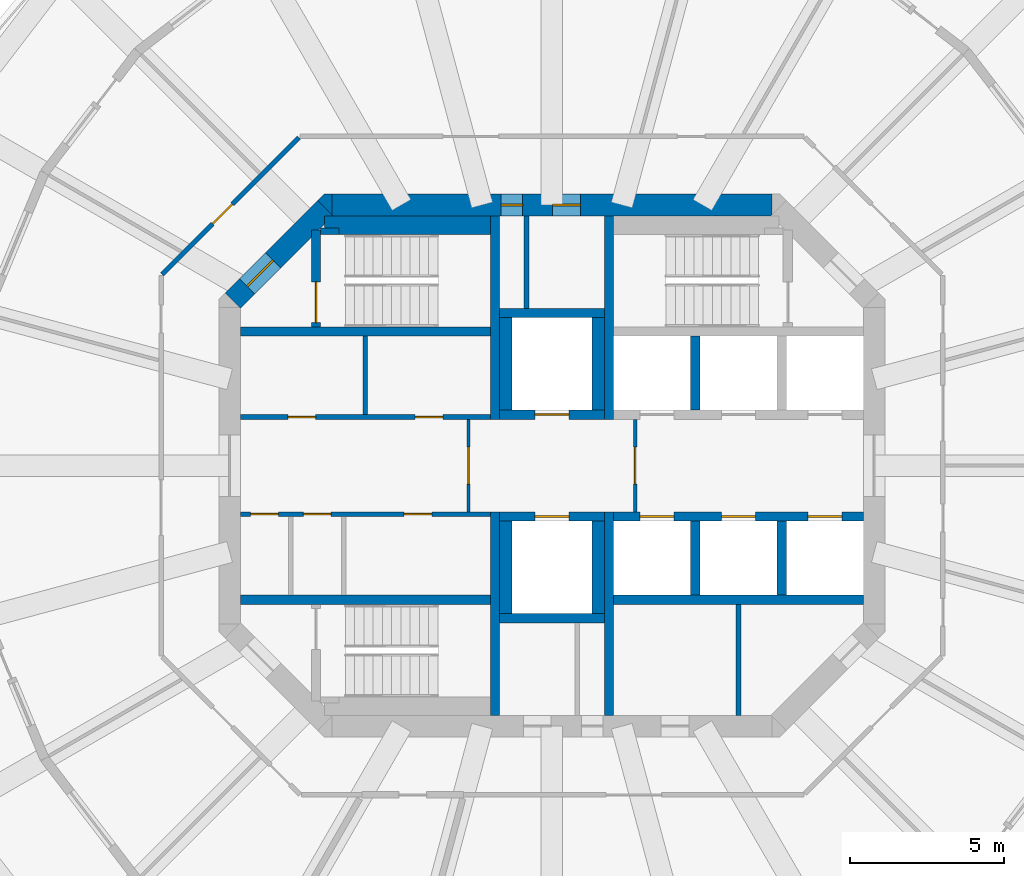
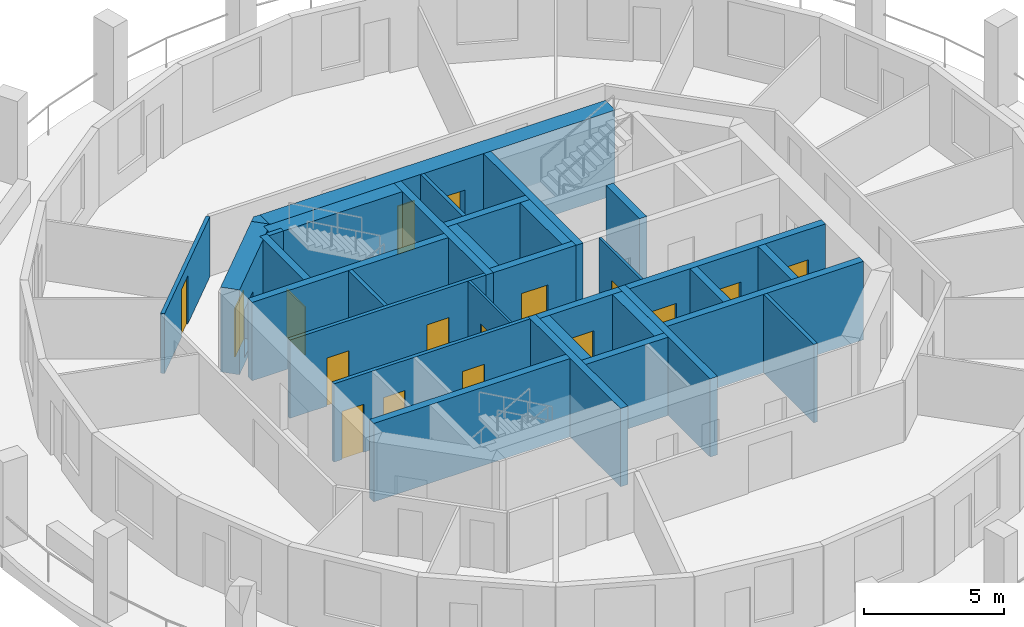
# One storey, part 4 of 9: 33 walls, 17 doors, 17 openings.
"""IFC4 building model written with IfcOpenShell, lengths in metres."""

from ifc_helpers import new_model, si_unit, direction, frame, frame_2d, origin, place, context, subcontext, project, spatial, polyline, rectangle, outline, extrude, material, layer, layer_set, type_object, element, fill, save


model = new_model("IFC4")

# Units and contexts
model_context = context("Model", 3, precision=1e-05, world=origin(), true_north=direction((0.0, 1.0)))
body_context = subcontext(model_context, "Body", "Model", "MODEL_VIEW")
ifc_project = project(units=[si_unit("LENGTHUNIT", "METRE"), si_unit("AREAUNIT", "SQUARE_METRE"), si_unit("VOLUMEUNIT", "CUBIC_METRE"), si_unit("PLANEANGLEUNIT", "RADIAN"), si_unit("MASSUNIT", "GRAM", prefix="KILO")], contexts=[model_context])

# Site, building, storey
site_placement = place(None, origin())
site = spatial("IfcSite", under=ifc_project, at=site_placement, CompositionType="ELEMENT")
building_placement = place(site_placement, origin())
building = spatial("IfcBuilding", under=site, at=building_placement, Name="Torre Triforio", CompositionType="ELEMENT")
storey_placement = place(building_placement, frame((0.0, 0.0, 154.199951171875)))
storey = spatial("IfcBuildingStorey", under=building, at=storey_placement, Name="L34", CompositionType="ELEMENT", Elevation=154.199951171875)

# Walls
ifc_material_1 = material(Name="Concrete C50", Category="concrete")
ifc_layer_1 = layer(ifc_material_1, 0.300048828125)
ifc_layer_set_1 = layer_set([ifc_layer_1], Name="Concrete C50")
wall_type_1 = type_object("IfcWallType", Name="Core wall 300 mm C50 EI 120", PredefinedType="SHEAR", material=ifc_layer_set_1)
for number, where, z_axis, x_axis, name in (
    (1, (-1.85009765625, 1.5, 0.0), (0.0, 0.0, 1.0), (0.0, 1.0, 0.0), "Core wall"),
    (2, (-1.85009765625, -8.10009765625, 0.0), (0.0, 0.0, 1.0), (0.0, 1.0, 0.0), "Core wall"),
    (3, (1.85009765625, 1.5, 0.0), (0.0, 0.0, 1.0), (0.0, 1.0, 0.0), "Core wall"),
    (4, (1.85009765625, -8.10009765625, 0.0), (0.0, 0.0, 1.0), (0.0, 1.0, 0.0), "Core wall"),
):
    element("IfcWall", number, at=place(storey_placement, frame(where, z_axis=z_axis, x_axis=x_axis)), inside=storey, type_object=wall_type_1, Name=name, PredefinedType="SHEAR", context=body_context, shape_type="SweptSolid", body=[
        extrude(rectangle(XDim=6.60009765625, YDim=0.300048828125, at=frame_2d((3.300048828125, 0.0))), origin(), (0.0, 0.0, 1.0), 3.420166015625),
    ])

# Wall, openings, doors
ifc_layer_2 = layer(ifc_material_1, 0.699951171875)
ifc_layer_set_2 = layer_set([ifc_layer_2], Name="Concrete C50")
wall_type_2 = type_object("IfcWallType", Name="Core wall 700 mm C50 EI 120", PredefinedType="SHEAR", material=ifc_layer_set_2)
wall_1_placement = place(storey_placement, frame((-7.1298828125, 8.449951171875, -0.280029296875), z_axis=(0.0, 0.0, 1.0), x_axis=(1.0, 0.0, 0.0)))
wall_1 = element("IfcWall", 5, at=wall_1_placement, inside=storey, type_object=wall_type_2, Name="Core wall", PredefinedType="SHEAR", context=body_context, shape_type="SweptSolid", body=[
    extrude(rectangle(XDim=14.259765625, YDim=0.699951171875, at=frame_2d((7.1298828125, 0.0))), origin(), (0.0, 0.0, 1.0), 3.7001953125),
])
opening_1_placement = place(wall_1_placement, frame((5.47998046875, 0.0, 0.280029296875)))
opening_1 = element("IfcOpeningElement", 6, at=opening_1_placement, cuts=wall_1, Name="Opening RISER-N", PredefinedType="OPENING", context=body_context, shape_type="SweptSolid", body=[
    extrude(rectangle(XDim=0.699951171875, YDim=2.10009765625, at=frame_2d((0.35009765625, 1.050048828125))), frame((0.0, 0.35986328125, 0.0), z_axis=(0.0, -1.0, 0.0), x_axis=(1.0, 0.0, 0.0)), (0.0, 0.0, 1.0), 0.719970703125),
])
opening_2_placement = place(wall_1_placement, frame((7.155029296875, 0.0, 0.280029296875)))
opening_2 = element("IfcOpeningElement", 7, at=opening_2_placement, cuts=wall_1, Name="Opening NE-01", PredefinedType="OPENING", context=body_context, shape_type="SweptSolid", body=[
    extrude(rectangle(XDim=0.89990234375, YDim=2.10009765625, at=frame_2d((0.449951171875, 1.050048828125))), frame((0.0, 0.35986328125, 0.0), z_axis=(0.0, -1.0, 0.0), x_axis=(1.0, 0.0, 0.0)), (0.0, 0.0, 1.0), 0.719970703125),
])
ifc_material_2 = material(Name="Hollow metal fire door leaf")
door_type_1 = type_object("IfcDoorType", Name="Riser door 700 x 2100 EI 60", OperationType="NOTDEFINED", PredefinedType="DOOR", material=ifc_material_2)
door_1_placement = place(opening_1_placement, origin())
door_1 = element("IfcDoor", 8, at=door_1_placement, inside=storey, type_object=door_type_1, Name="Core door RISER-N", OperationType="SINGLE_SWING_LEFT", OverallHeight=2.10009765625, OverallWidth=0.699951171875, PredefinedType="DOOR", context=body_context, shape_type="SweptSolid", body=[
    extrude(rectangle(XDim=0.699951171875, YDim=2.10009765625, at=frame_2d((0.35009765625, 1.050048828125))), frame((0.0, 0.02490234375, 0.0), z_axis=(0.0, -1.0, 0.0), x_axis=(1.0, 0.0, 0.0)), (0.0, 0.0, 1.0), 0.050048828125),
])
fill(opening_1, door_1)
door_type_2 = type_object("IfcDoorType", Name="Room door 900 x 2100 EI 60", OperationType="NOTDEFINED", PredefinedType="DOOR", material=ifc_material_2)
door_2_placement = place(opening_2_placement, origin())
door_2 = element("IfcDoor", 9, at=door_2_placement, inside=storey, type_object=door_type_2, Name="Core door NE-01", OperationType="SINGLE_SWING_RIGHT", OverallHeight=2.10009765625, OverallWidth=0.89990234375, PredefinedType="DOOR", context=body_context, shape_type="SweptSolid", body=[
    extrude(rectangle(XDim=0.89990234375, YDim=2.10009765625, at=frame_2d((0.449951171875, 1.050048828125))), frame((0.0, 0.02490234375, 0.0), z_axis=(0.0, -1.0, 0.0), x_axis=(1.0, 0.0, 0.0)), (0.0, 0.0, 1.0), 0.050048828125),
])
fill(opening_2, door_2)

# Wall, opening, door
wall_2_placement = place(storey_placement, frame((-10.347412109375, 5.347412109375, -0.280029296875), z_axis=(0.0, 0.0, 1.0), x_axis=(0.707106781187, 0.707106781187, 0.0)))
wall_2 = element("IfcWall", 10, at=wall_2_placement, inside=storey, type_object=wall_type_2, Name="Core wall", PredefinedType="SHEAR", context=body_context, shape_type="SweptSolid", body=[
    extrude(rectangle(XDim=4.24267578125, YDim=0.699951171875, at=frame_2d((2.121337890625, 0.0))), origin(), (0.0, 0.0, 1.0), 3.7001953125),
])
opening_3_placement = place(wall_2_placement, frame((0.64990234375, 0.0, 0.280029296875)))
opening_3 = element("IfcOpeningElement", 11, at=opening_3_placement, cuts=wall_2, Name="Opening ST1-EXIT", PredefinedType="OPENING", context=body_context, shape_type="SweptSolid", body=[
    extrude(rectangle(XDim=1.199951171875, YDim=2.10009765625, at=frame_2d((0.60009765625, 1.050048828125))), frame((0.0, 0.35986328125, 0.0), z_axis=(0.0, -1.0, 0.0), x_axis=(1.0, 0.0, 0.0)), (0.0, 0.0, 1.0), 0.719970703125),
])
door_type_3 = type_object("IfcDoorType", Name="Stair lobby door 1200 x 2100 EI 60", OperationType="NOTDEFINED", PredefinedType="DOOR", material=ifc_material_2)
door_3_placement = place(opening_3_placement, origin())
door_3 = element("IfcDoor", 12, at=door_3_placement, inside=storey, type_object=door_type_3, Name="Core door ST1-EXIT", OperationType="SINGLE_SWING_RIGHT", OverallHeight=2.10009765625, OverallWidth=1.199951171875, PredefinedType="DOOR", context=body_context, shape_type="SweptSolid", body=[
    extrude(rectangle(XDim=1.199951171875, YDim=2.10009765625, at=frame_2d((0.60009765625, 1.050048828125))), frame((0.0, 0.02490234375, 0.0), z_axis=(0.0, -1.0, 0.0), x_axis=(1.0, 0.0, 0.0)), (0.0, 0.0, 1.0), 0.050048828125),
])
fill(opening_3, door_3)

# Wall
wall_3_placement = place(storey_placement, frame((0.0, 0.0, -0.280029296875)))
element("IfcWall", 13, at=wall_3_placement, inside=storey, type_object=wall_type_2, Name="Core wall", PredefinedType="SHEAR", context=body_context, shape_type="SweptSolid", body=[
    extrude(outline(polyline([(-7.389892578125, 8.800048828125), (-7.1298828125, 8.800048828125), (-7.1298828125, 8.800048828125), (-7.1298828125, 8.1298828125), (-7.594970703125, 8.594970703125), (-7.594970703125, 8.594970703125), (-7.594970703125, 8.594970703125), (-7.389892578125, 8.800048828125)])), origin(), (0.0, 0.0, 1.0), 3.7001953125),
])

# Wall, opening, door
ifc_material_3 = material(Name="Plasterboard on metal studs")
ifc_layer_3 = layer(ifc_material_3, 0.14990234375)
ifc_layer_set_3 = layer_set([ifc_layer_3], Name="Plasterboard on metal studs")
wall_type_3 = type_object("IfcWallType", Name="Corridor and tenancy wall 150 mm EI 60", PredefinedType="PARTITIONING", material=ifc_layer_set_3)
wall_4_placement = place(storey_placement, frame((-12.637939453125, 6.20361328125, 0.0), z_axis=(0.0, 0.0, 1.0), x_axis=(0.707106781187, 0.707106781187, 0.0)))
wall_4 = element("IfcWall", 14, at=wall_4_placement, inside=storey, type_object=wall_type_3, Name="Partition 7", PredefinedType="PARTITIONING", context=body_context, shape_type="SweptSolid", body=[
    extrude(rectangle(XDim=6.27099609375, YDim=0.14990234375, at=frame_2d((3.135498046875, 0.0))), origin(), (0.0, 0.0, 1.0), 2.6201171875),
])
opening_4_placement = place(wall_4_placement, frame((2.313720703125, 0.0, 0.0)))
opening_4 = element("IfcOpeningElement", 15, at=opening_4_placement, cuts=wall_4, Name="Opening O1-07", PredefinedType="OPENING", context=body_context, shape_type="SweptSolid", body=[
    extrude(rectangle(XDim=0.89990234375, YDim=2.10009765625, at=frame_2d((0.449951171875, 1.050048828125))), frame((0.0, 0.0849609375, 0.0), z_axis=(0.0, -1.0, 0.0), x_axis=(1.0, 0.0, 0.0)), (0.0, 0.0, 1.0), 0.169921875),
])
ifc_material_4 = material(Name="Timber", Category="wood")
door_type_4 = type_object("IfcDoorType", Name="Door 900 x 2100 single leaf EI 30", OperationType="NOTDEFINED", PredefinedType="DOOR", material=ifc_material_4)
door_4_placement = place(opening_4_placement, origin())
door_4 = element("IfcDoor", 16, at=door_4_placement, inside=storey, type_object=door_type_4, Name="Door O1-07", OperationType="SINGLE_SWING_LEFT", OverallHeight=2.10009765625, OverallWidth=0.89990234375, PredefinedType="DOOR", context=body_context, shape_type="SweptSolid", body=[
    extrude(rectangle(XDim=0.89990234375, YDim=2.10009765625, at=frame_2d((0.449951171875, 1.050048828125))), frame((0.0, 0.02490234375, 0.0), z_axis=(0.0, -1.0, 0.0), x_axis=(1.0, 0.0, 0.0)), (0.0, 0.0, 1.0), 0.050048828125),
])
fill(opening_4, door_4)

ifc_material_5 = material(Name="Block and board partition")
ifc_layer_4 = layer(ifc_material_5, 0.10009765625)
ifc_layer_set_4 = layer_set([ifc_layer_4], Name="Block and board partition")
wall_type_4 = type_object("IfcWallType", Name="Partition 100 mm EI 120", PredefinedType="PARTITIONING", material=ifc_layer_set_4)
wall_5_placement = place(storey_placement, frame((-2.699951171875, -1.5, 0.0), z_axis=(0.0, 0.0, 1.0), x_axis=(0.0, 1.0, 0.0)))
wall_5 = element("IfcWall", 17, at=wall_5_placement, inside=storey, type_object=wall_type_4, Name="Partition", PredefinedType="PARTITIONING", context=body_context, shape_type="SweptSolid", body=[
    extrude(rectangle(XDim=3.0, YDim=0.10009765625, at=frame_2d((1.5, 0.0))), origin(), (0.0, 0.0, 1.0), 3.420166015625),
])
opening_5_placement = place(wall_5_placement, frame((0.89990234375, 0.0, 0.0)))
opening_5 = element("IfcOpeningElement", 18, at=opening_5_placement, cuts=wall_5, Name="Opening FF-W", PredefinedType="OPENING", context=body_context, shape_type="SweptSolid", body=[
    extrude(rectangle(XDim=1.199951171875, YDim=2.10009765625, at=frame_2d((0.60009765625, 1.050048828125))), frame((0.0, 0.06005859375, 0.0), z_axis=(0.0, -1.0, 0.0), x_axis=(1.0, 0.0, 0.0)), (0.0, 0.0, 1.0), 0.1201171875),
])
door_type_5 = type_object("IfcDoorType", Name="Fire-fighting lobby door 1200 x 2100 EI 60", OperationType="NOTDEFINED", PredefinedType="DOOR", material=ifc_material_2)
door_5_placement = place(opening_5_placement, origin())
door_5 = element("IfcDoor", 19, at=door_5_placement, inside=storey, type_object=door_type_5, Name="Core door FF-W", OperationType="SINGLE_SWING_RIGHT", OverallHeight=2.10009765625, OverallWidth=1.199951171875, PredefinedType="DOOR", context=body_context, shape_type="SweptSolid", body=[
    extrude(rectangle(XDim=1.199951171875, YDim=2.10009765625, at=frame_2d((0.60009765625, 1.050048828125))), frame((0.0, 0.02490234375, 0.0), z_axis=(0.0, -1.0, 0.0), x_axis=(1.0, 0.0, 0.0)), (0.0, 0.0, 1.0), 0.050048828125),
])
fill(opening_5, door_5)

wall_6_placement = place(storey_placement, frame((2.699951171875, -1.5, 0.0), z_axis=(0.0, 0.0, 1.0), x_axis=(0.0, 1.0, 0.0)))
wall_6 = element("IfcWall", 20, at=wall_6_placement, inside=storey, type_object=wall_type_4, Name="Partition", PredefinedType="PARTITIONING", context=body_context, shape_type="SweptSolid", body=[
    extrude(rectangle(XDim=3.0, YDim=0.10009765625, at=frame_2d((1.5, 0.0))), origin(), (0.0, 0.0, 1.0), 3.420166015625),
])
opening_6_placement = place(wall_6_placement, frame((0.89990234375, 0.0, 0.0)))
opening_6 = element("IfcOpeningElement", 21, at=opening_6_placement, cuts=wall_6, Name="Opening FF-E", PredefinedType="OPENING", context=body_context, shape_type="SweptSolid", body=[
    extrude(rectangle(XDim=1.199951171875, YDim=2.10009765625, at=frame_2d((0.60009765625, 1.050048828125))), frame((0.0, 0.06005859375, 0.0), z_axis=(0.0, -1.0, 0.0), x_axis=(1.0, 0.0, 0.0)), (0.0, 0.0, 1.0), 0.1201171875),
])
door_6_placement = place(opening_6_placement, origin())
door_6 = element("IfcDoor", 22, at=door_6_placement, inside=storey, type_object=door_type_5, Name="Core door FF-E", OperationType="SINGLE_SWING_RIGHT", OverallHeight=2.10009765625, OverallWidth=1.199951171875, PredefinedType="DOOR", context=body_context, shape_type="SweptSolid", body=[
    extrude(rectangle(XDim=1.199951171875, YDim=2.10009765625, at=frame_2d((0.60009765625, 1.050048828125))), frame((0.0, 0.02490234375, 0.0), z_axis=(0.0, -1.0, 0.0), x_axis=(1.0, 0.0, 0.0)), (0.0, 0.0, 1.0), 0.050048828125),
])
fill(opening_6, door_6)

# Walls
ifc_layer_5 = layer(ifc_material_5, 0.14990234375)
ifc_layer_set_5 = layer_set([ifc_layer_5], Name="Block and board partition")
wall_type_5 = type_object("IfcWallType", Name="Partition 150 mm", PredefinedType="PARTITIONING", material=ifc_layer_set_5)
wall_7_placement = place(storey_placement, frame((6.050048828125, -8.10009765625, 0.0), z_axis=(0.0, 0.0, 1.0), x_axis=(0.0, 1.0, 0.0)))
element("IfcWall", 23, at=wall_7_placement, inside=storey, type_object=wall_type_5, Name="Partition", PredefinedType="PARTITIONING", context=body_context, shape_type="SweptSolid", body=[
    extrude(rectangle(XDim=3.60009765625, YDim=0.14990234375, at=frame_2d((1.800048828125, 0.0))), origin(), (0.0, 0.0, 1.0), 3.420166015625),
])
wall_8_placement = place(storey_placement, frame((-6.050048828125, 1.64990234375, 0.0), z_axis=(0.0, 0.0, 1.0), x_axis=(0.0, 1.0, 0.0)))
element("IfcWall", 24, at=wall_8_placement, inside=storey, type_object=wall_type_5, Name="Partition", PredefinedType="PARTITIONING", context=body_context, shape_type="SweptSolid", body=[
    extrude(rectangle(XDim=2.550048828125, YDim=0.14990234375, at=frame_2d((1.27490234375, 0.0))), origin(), (0.0, 0.0, 1.0), 3.420166015625),
])
ifc_layer_6 = layer(ifc_material_5, 0.14990234375)
ifc_layer_set_6 = layer_set([ifc_layer_6], Name="Block and board partition")
wall_type_6 = type_object("IfcWallType", Name="Partition 150 mm EI 120", PredefinedType="PARTITIONING", material=ifc_layer_set_6)
wall_9_placement = place(storey_placement, frame((-0.824951171875, 5.10009765625, 0.0), z_axis=(0.0, 0.0, 1.0), x_axis=(0.0, 1.0, 0.0)))
element("IfcWall", 25, at=wall_9_placement, inside=storey, type_object=wall_type_6, Name="Partition", PredefinedType="PARTITIONING", context=body_context, shape_type="SweptSolid", body=[
    extrude(rectangle(XDim=3.0, YDim=0.14990234375, at=frame_2d((1.5, 0.0))), origin(), (0.0, 0.0, 1.0), 3.420166015625),
])

# Wall, openings, doors
wall_10_placement = place(storey_placement, frame((-10.10009765625, 1.574951171875, 0.0), z_axis=(0.0, 0.0, 1.0), x_axis=(1.0, 0.0, 0.0)))
wall_10 = element("IfcWall", 26, at=wall_10_placement, inside=storey, type_object=wall_type_6, Name="Partition", PredefinedType="PARTITIONING", context=body_context, shape_type="SweptSolid", body=[
    extrude(rectangle(XDim=8.10009765625, YDim=0.14990234375, at=frame_2d((4.050048828125, 0.0))), origin(), (0.0, 0.0, 1.0), 3.420166015625),
])
opening_7_placement = place(wall_10_placement, frame((1.53759765625, 0.0, 0.0)))
opening_7 = element("IfcOpeningElement", 27, at=opening_7_placement, cuts=wall_10, Name="Opening FN-01", PredefinedType="OPENING", context=body_context, shape_type="SweptSolid", body=[
    extrude(rectangle(XDim=0.89990234375, YDim=2.10009765625, at=frame_2d((0.449951171875, 1.050048828125))), frame((0.0, 0.0849609375, 0.0), z_axis=(0.0, -1.0, 0.0), x_axis=(1.0, 0.0, 0.0)), (0.0, 0.0, 1.0), 0.169921875),
])
opening_8_placement = place(wall_10_placement, frame((5.66259765625, 0.0, 0.0)))
opening_8 = element("IfcOpeningElement", 28, at=opening_8_placement, cuts=wall_10, Name="Opening FN-02", PredefinedType="OPENING", context=body_context, shape_type="SweptSolid", body=[
    extrude(rectangle(XDim=0.89990234375, YDim=2.10009765625, at=frame_2d((0.449951171875, 1.050048828125))), frame((0.0, 0.0849609375, 0.0), z_axis=(0.0, -1.0, 0.0), x_axis=(1.0, 0.0, 0.0)), (0.0, 0.0, 1.0), 0.169921875),
])
door_7_placement = place(opening_7_placement, origin())
door_7 = element("IfcDoor", 29, at=door_7_placement, inside=storey, type_object=door_type_2, Name="Core door FN-01", OperationType="SINGLE_SWING_RIGHT", OverallHeight=2.10009765625, OverallWidth=0.89990234375, PredefinedType="DOOR", context=body_context, shape_type="SweptSolid", body=[
    extrude(rectangle(XDim=0.89990234375, YDim=2.10009765625, at=frame_2d((0.449951171875, 1.050048828125))), frame((0.0, 0.02490234375, 0.0), z_axis=(0.0, -1.0, 0.0), x_axis=(1.0, 0.0, 0.0)), (0.0, 0.0, 1.0), 0.050048828125),
])
fill(opening_7, door_7)
door_8_placement = place(opening_8_placement, origin())
door_8 = element("IfcDoor", 30, at=door_8_placement, inside=storey, type_object=door_type_2, Name="Core door FN-02", OperationType="SINGLE_SWING_RIGHT", OverallHeight=2.10009765625, OverallWidth=0.89990234375, PredefinedType="DOOR", context=body_context, shape_type="SweptSolid", body=[
    extrude(rectangle(XDim=0.89990234375, YDim=2.10009765625, at=frame_2d((0.449951171875, 1.050048828125))), frame((0.0, 0.02490234375, 0.0), z_axis=(0.0, -1.0, 0.0), x_axis=(1.0, 0.0, 0.0)), (0.0, 0.0, 1.0), 0.050048828125),
])
fill(opening_8, door_8)

wall_11_placement = place(storey_placement, frame((-10.10009765625, -1.574951171875, 0.0), z_axis=(0.0, 0.0, 1.0), x_axis=(1.0, 0.0, 0.0)))
wall_11 = element("IfcWall", 31, at=wall_11_placement, inside=storey, type_object=wall_type_6, Name="Partition", PredefinedType="PARTITIONING", context=body_context, shape_type="SweptSolid", body=[
    extrude(rectangle(XDim=8.10009765625, YDim=0.14990234375, at=frame_2d((4.050048828125, 0.0))), origin(), (0.0, 0.0, 1.0), 3.420166015625),
])
opening_9_placement = place(wall_11_placement, frame((0.330078125, 0.0, 0.0)))
opening_9 = element("IfcOpeningElement", 32, at=opening_9_placement, cuts=wall_11, Name="Opening FS-01", PredefinedType="OPENING", context=body_context, shape_type="SweptSolid", body=[
    extrude(rectangle(XDim=0.89990234375, YDim=2.10009765625, at=frame_2d((0.449951171875, 1.050048828125))), frame((0.0, 0.0849609375, 0.0), z_axis=(0.0, -1.0, 0.0), x_axis=(1.0, 0.0, 0.0)), (0.0, 0.0, 1.0), 0.169921875),
])
opening_10_placement = place(wall_11_placement, frame((2.0400390625, 0.0, 0.0)))
opening_10 = element("IfcOpeningElement", 33, at=opening_10_placement, cuts=wall_11, Name="Opening FS-02", PredefinedType="OPENING", context=body_context, shape_type="SweptSolid", body=[
    extrude(rectangle(XDim=0.89990234375, YDim=2.10009765625, at=frame_2d((0.449951171875, 1.050048828125))), frame((0.0, 0.0849609375, 0.0), z_axis=(0.0, -1.0, 0.0), x_axis=(1.0, 0.0, 0.0)), (0.0, 0.0, 1.0), 0.169921875),
])
opening_11_placement = place(wall_11_placement, frame((5.31005859375, 0.0, 0.0)))
opening_11 = element("IfcOpeningElement", 34, at=opening_11_placement, cuts=wall_11, Name="Opening FS-03", PredefinedType="OPENING", context=body_context, shape_type="SweptSolid", body=[
    extrude(rectangle(XDim=0.89990234375, YDim=2.10009765625, at=frame_2d((0.449951171875, 1.050048828125))), frame((0.0, 0.0849609375, 0.0), z_axis=(0.0, -1.0, 0.0), x_axis=(1.0, 0.0, 0.0)), (0.0, 0.0, 1.0), 0.169921875),
])
door_9_placement = place(opening_9_placement, origin())
door_9 = element("IfcDoor", 35, at=door_9_placement, inside=storey, type_object=door_type_2, Name="Core door FS-01", OperationType="SINGLE_SWING_LEFT", OverallHeight=2.10009765625, OverallWidth=0.89990234375, PredefinedType="DOOR", context=body_context, shape_type="SweptSolid", body=[
    extrude(rectangle(XDim=0.89990234375, YDim=2.10009765625, at=frame_2d((0.449951171875, 1.050048828125))), frame((0.0, 0.02490234375, 0.0), z_axis=(0.0, -1.0, 0.0), x_axis=(1.0, 0.0, 0.0)), (0.0, 0.0, 1.0), 0.050048828125),
])
fill(opening_9, door_9)
door_10_placement = place(opening_10_placement, origin())
door_10 = element("IfcDoor", 36, at=door_10_placement, inside=storey, type_object=door_type_2, Name="Core door FS-02", OperationType="SINGLE_SWING_LEFT", OverallHeight=2.10009765625, OverallWidth=0.89990234375, PredefinedType="DOOR", context=body_context, shape_type="SweptSolid", body=[
    extrude(rectangle(XDim=0.89990234375, YDim=2.10009765625, at=frame_2d((0.449951171875, 1.050048828125))), frame((0.0, 0.02490234375, 0.0), z_axis=(0.0, -1.0, 0.0), x_axis=(1.0, 0.0, 0.0)), (0.0, 0.0, 1.0), 0.050048828125),
])
fill(opening_10, door_10)
door_11_placement = place(opening_11_placement, origin())
door_11 = element("IfcDoor", 37, at=door_11_placement, inside=storey, type_object=door_type_2, Name="Core door FS-03", OperationType="SINGLE_SWING_LEFT", OverallHeight=2.10009765625, OverallWidth=0.89990234375, PredefinedType="DOOR", context=body_context, shape_type="SweptSolid", body=[
    extrude(rectangle(XDim=0.89990234375, YDim=2.10009765625, at=frame_2d((0.449951171875, 1.050048828125))), frame((0.0, 0.02490234375, 0.0), z_axis=(0.0, -1.0, 0.0), x_axis=(1.0, 0.0, 0.0)), (0.0, 0.0, 1.0), 0.050048828125),
])
fill(opening_11, door_11)

# Walls
ifc_layer_7 = layer(ifc_material_1, 0.300048828125)
ifc_layer_set_7 = layer_set([ifc_layer_7], Name="Concrete C50")
wall_type_7 = type_object("IfcWallType", Name="Shaft wall 300 mm C50 EI 120", PredefinedType="SOLIDWALL", material=ifc_layer_set_7)
for number, where, z_axis, x_axis, name in (
    (38, (-10.10009765625, 4.35009765625, 0.0), (0.0, 0.0, 1.0), (1.0, 0.0, 0.0), "Shaft wall"),
    (39, (-10.10009765625, -4.35009765625, 0.0), (0.0, 0.0, 1.0), (1.0, 0.0, 0.0), "Shaft wall"),
    (40, (2.0, -4.35009765625, 0.0), (0.0, 0.0, 1.0), (1.0, 0.0, 0.0), "Shaft wall"),
):
    element("IfcWall", number, at=place(storey_placement, frame(where, z_axis=z_axis, x_axis=x_axis)), inside=storey, type_object=wall_type_7, Name=name, PredefinedType="SOLIDWALL", context=body_context, shape_type="SweptSolid", body=[
        extrude(rectangle(XDim=8.10009765625, YDim=0.300048828125, at=frame_2d((4.050048828125, 0.0))), origin(), (0.0, 0.0, 1.0), 3.420166015625),
    ])

# Wall, openings, doors
wall_12_placement = place(storey_placement, frame((2.0, -1.64990234375, 0.0), z_axis=(0.0, 0.0, 1.0), x_axis=(1.0, 0.0, 0.0)))
wall_12 = element("IfcWall", 41, at=wall_12_placement, inside=storey, type_object=wall_type_7, Name="Shaft wall", PredefinedType="SOLIDWALL", context=body_context, shape_type="SweptSolid", body=[
    extrude(rectangle(XDim=8.10009765625, YDim=0.300048828125, at=frame_2d((4.050048828125, 0.0))), origin(), (0.0, 0.0, 1.0), 3.420166015625),
])
opening_12_placement = place(wall_12_placement, frame((0.85009765625, 0.0, 0.0)))
opening_12 = element("IfcOpeningElement", 42, at=opening_12_placement, cuts=wall_12, Name="Opening LD", PredefinedType="OPENING", context=body_context, shape_type="SweptSolid", body=[
    extrude(rectangle(XDim=1.10009765625, YDim=2.10009765625, at=frame_2d((0.550048828125, 1.050048828125))), frame((0.0, 0.159912109375, 0.0), z_axis=(0.0, -1.0, 0.0), x_axis=(1.0, 0.0, 0.0)), (0.0, 0.0, 1.0), 0.320068359375),
])
opening_13_placement = place(wall_12_placement, frame((3.5, 0.0, 0.0)))
opening_13 = element("IfcOpeningElement", 43, at=opening_13_placement, cuts=wall_12, Name="Opening LD", PredefinedType="OPENING", context=body_context, shape_type="SweptSolid", body=[
    extrude(rectangle(XDim=1.10009765625, YDim=2.10009765625, at=frame_2d((0.550048828125, 1.050048828125))), frame((0.0, 0.159912109375, 0.0), z_axis=(0.0, -1.0, 0.0), x_axis=(1.0, 0.0, 0.0)), (0.0, 0.0, 1.0), 0.320068359375),
])
opening_14_placement = place(wall_12_placement, frame((6.300048828125, 0.0, 0.0)))
opening_14 = element("IfcOpeningElement", 44, at=opening_14_placement, cuts=wall_12, Name="Opening LD", PredefinedType="OPENING", context=body_context, shape_type="SweptSolid", body=[
    extrude(rectangle(XDim=1.10009765625, YDim=2.10009765625, at=frame_2d((0.550048828125, 1.050048828125))), frame((0.0, 0.159912109375, 0.0), z_axis=(0.0, -1.0, 0.0), x_axis=(1.0, 0.0, 0.0)), (0.0, 0.0, 1.0), 0.320068359375),
])
door_type_6 = type_object("IfcDoorType", Name="Landing door 1100 x 2100 EI 60", OperationType="DOUBLE_DOOR_SLIDING", PredefinedType="DOOR", material=ifc_material_2)
door_12_placement = place(opening_12_placement, origin())
door_12 = element("IfcDoor", 45, at=door_12_placement, inside=storey, type_object=door_type_6, Name="Landing door HR4", OperationType="DOUBLE_DOOR_SLIDING", OverallHeight=2.10009765625, OverallWidth=1.10009765625, PredefinedType="DOOR", context=body_context, shape_type="SweptSolid", body=[
    extrude(rectangle(XDim=1.10009765625, YDim=2.10009765625, at=frame_2d((0.550048828125, 1.050048828125))), frame((0.0, 0.02490234375, 0.0), z_axis=(0.0, -1.0, 0.0), x_axis=(1.0, 0.0, 0.0)), (0.0, 0.0, 1.0), 0.050048828125),
])
fill(opening_12, door_12)
door_13_placement = place(opening_13_placement, origin())
door_13 = element("IfcDoor", 46, at=door_13_placement, inside=storey, type_object=door_type_6, Name="Landing door HR5", OperationType="DOUBLE_DOOR_SLIDING", OverallHeight=2.10009765625, OverallWidth=1.10009765625, PredefinedType="DOOR", context=body_context, shape_type="SweptSolid", body=[
    extrude(rectangle(XDim=1.10009765625, YDim=2.10009765625, at=frame_2d((0.550048828125, 1.050048828125))), frame((0.0, 0.02490234375, 0.0), z_axis=(0.0, -1.0, 0.0), x_axis=(1.0, 0.0, 0.0)), (0.0, 0.0, 1.0), 0.050048828125),
])
fill(opening_13, door_13)
door_14_placement = place(opening_14_placement, origin())
door_14 = element("IfcDoor", 47, at=door_14_placement, inside=storey, type_object=door_type_6, Name="Landing door HR6", OperationType="DOUBLE_DOOR_SLIDING", OverallHeight=2.10009765625, OverallWidth=1.10009765625, PredefinedType="DOOR", context=body_context, shape_type="SweptSolid", body=[
    extrude(rectangle(XDim=1.10009765625, YDim=2.10009765625, at=frame_2d((0.550048828125, 1.050048828125))), frame((0.0, 0.02490234375, 0.0), z_axis=(0.0, -1.0, 0.0), x_axis=(1.0, 0.0, 0.0)), (0.0, 0.0, 1.0), 0.050048828125),
])
fill(opening_14, door_14)

# Walls
for number, where, z_axis, x_axis, name in (
    (48, (4.64990234375, 1.800048828125, 0.0), (0.0, 0.0, 1.0), (0.0, 1.0, 0.0), "Shaft wall"),
    (49, (4.64990234375, -4.199951171875, 0.0), (0.0, 0.0, 1.0), (0.0, 1.0, 0.0), "Shaft wall"),
    (50, (7.449951171875, -4.199951171875, 0.0), (0.0, 0.0, 1.0), (0.0, 1.0, 0.0), "Shaft wall"),
):
    element("IfcWall", number, at=place(storey_placement, frame(where, z_axis=z_axis, x_axis=x_axis)), inside=storey, type_object=wall_type_7, Name=name, PredefinedType="SOLIDWALL", context=body_context, shape_type="SweptSolid", body=[
        extrude(rectangle(XDim=2.39990234375, YDim=0.300048828125, at=frame_2d((1.199951171875, 0.0))), origin(), (0.0, 0.0, 1.0), 3.420166015625),
    ])

# Wall, opening, door
wall_13_placement = place(storey_placement, frame((-1.699951171875, 1.64990234375, 0.0), z_axis=(0.0, 0.0, 1.0), x_axis=(1.0, 0.0, 0.0)))
wall_13 = element("IfcWall", 51, at=wall_13_placement, inside=storey, type_object=wall_type_7, Name="Shaft wall", PredefinedType="SOLIDWALL", context=body_context, shape_type="SweptSolid", body=[
    extrude(rectangle(XDim=3.39990234375, YDim=0.300048828125, at=frame_2d((1.699951171875, 0.0))), origin(), (0.0, 0.0, 1.0), 3.420166015625),
])
opening_15_placement = place(wall_13_placement, frame((1.14990234375, 0.0, 0.0)))
opening_15 = element("IfcOpeningElement", 52, at=opening_15_placement, cuts=wall_13, Name="Opening LD", PredefinedType="OPENING", context=body_context, shape_type="SweptSolid", body=[
    extrude(rectangle(XDim=1.10009765625, YDim=2.10009765625, at=frame_2d((0.550048828125, 1.050048828125))), frame((0.0, 0.159912109375, 0.0), z_axis=(0.0, -1.0, 0.0), x_axis=(1.0, 0.0, 0.0)), (0.0, 0.0, 1.0), 0.320068359375),
])
door_15_placement = place(opening_15_placement, origin())
door_15 = element("IfcDoor", 53, at=door_15_placement, inside=storey, type_object=door_type_6, Name="Landing door FFL1", OperationType="DOUBLE_DOOR_SLIDING", OverallHeight=2.10009765625, OverallWidth=1.10009765625, PredefinedType="DOOR", context=body_context, shape_type="SweptSolid", body=[
    extrude(rectangle(XDim=1.10009765625, YDim=2.10009765625, at=frame_2d((0.550048828125, 1.050048828125))), frame((0.0, 0.02490234375, 0.0), z_axis=(0.0, -1.0, 0.0), x_axis=(1.0, 0.0, 0.0)), (0.0, 0.0, 1.0), 0.050048828125),
])
fill(opening_15, door_15)

wall_14_placement = place(storey_placement, frame((-1.699951171875, -1.64990234375, 0.0), z_axis=(0.0, 0.0, 1.0), x_axis=(1.0, 0.0, 0.0)))
wall_14 = element("IfcWall", 54, at=wall_14_placement, inside=storey, type_object=wall_type_7, Name="Shaft wall", PredefinedType="SOLIDWALL", context=body_context, shape_type="SweptSolid", body=[
    extrude(rectangle(XDim=3.39990234375, YDim=0.300048828125, at=frame_2d((1.699951171875, 0.0))), origin(), (0.0, 0.0, 1.0), 3.420166015625),
])
opening_16_placement = place(wall_14_placement, frame((1.14990234375, 0.0, 0.0)))
opening_16 = element("IfcOpeningElement", 55, at=opening_16_placement, cuts=wall_14, Name="Opening LD", PredefinedType="OPENING", context=body_context, shape_type="SweptSolid", body=[
    extrude(rectangle(XDim=1.10009765625, YDim=2.10009765625, at=frame_2d((0.550048828125, 1.050048828125))), frame((0.0, 0.159912109375, 0.0), z_axis=(0.0, -1.0, 0.0), x_axis=(1.0, 0.0, 0.0)), (0.0, 0.0, 1.0), 0.320068359375),
])
door_16_placement = place(opening_16_placement, origin())
door_16 = element("IfcDoor", 56, at=door_16_placement, inside=storey, type_object=door_type_6, Name="Landing door FFL2", OperationType="DOUBLE_DOOR_SLIDING", OverallHeight=2.10009765625, OverallWidth=1.10009765625, PredefinedType="DOOR", context=body_context, shape_type="SweptSolid", body=[
    extrude(rectangle(XDim=1.10009765625, YDim=2.10009765625, at=frame_2d((0.550048828125, 1.050048828125))), frame((0.0, 0.02490234375, 0.0), z_axis=(0.0, -1.0, 0.0), x_axis=(1.0, 0.0, 0.0)), (0.0, 0.0, 1.0), 0.050048828125),
])
fill(opening_16, door_16)

# Walls
for number, where, z_axis, x_axis, name in (
    (57, (-1.699951171875, 4.949951171875, 0.0), (0.0, 0.0, 1.0), (1.0, 0.0, 0.0), "Shaft wall"),
    (58, (-1.699951171875, -4.949951171875, 0.0), (0.0, 0.0, 1.0), (1.0, 0.0, 0.0), "Shaft wall"),
):
    element("IfcWall", number, at=place(storey_placement, frame(where, z_axis=z_axis, x_axis=x_axis)), inside=storey, type_object=wall_type_7, Name=name, PredefinedType="SOLIDWALL", context=body_context, shape_type="SweptSolid", body=[
        extrude(rectangle(XDim=3.39990234375, YDim=0.300048828125, at=frame_2d((1.699951171875, 0.0))), origin(), (0.0, 0.0, 1.0), 3.420166015625),
    ])
ifc_layer_8 = layer(ifc_material_1, 0.39990234375)
ifc_layer_set_8 = layer_set([ifc_layer_8], Name="Concrete C50")
wall_type_8 = type_object("IfcWallType", Name="Shaft wall 400 mm C50 EI 120", PredefinedType="SOLIDWALL", material=ifc_layer_set_8)
for number, where, z_axis, x_axis, name in (
    (59, (-1.5, 1.800048828125, 0.0), (0.0, 0.0, 1.0), (0.0, 1.0, 0.0), "Shaft wall"),
    (60, (-1.5, -4.800048828125, 0.0), (0.0, 0.0, 1.0), (0.0, 1.0, 0.0), "Shaft wall"),
    (61, (1.5, 1.800048828125, 0.0), (0.0, 0.0, 1.0), (0.0, 1.0, 0.0), "Shaft wall"),
    (62, (1.5, -4.800048828125, 0.0), (0.0, 0.0, 1.0), (0.0, 1.0, 0.0), "Shaft wall"),
):
    element("IfcWall", number, at=place(storey_placement, frame(where, z_axis=z_axis, x_axis=x_axis)), inside=storey, type_object=wall_type_8, Name=name, PredefinedType="SOLIDWALL", context=body_context, shape_type="SweptSolid", body=[
        extrude(rectangle(XDim=3.0, YDim=0.39990234375, at=frame_2d((1.5, 0.0))), origin(), (0.0, 0.0, 1.0), 3.420166015625),
    ])
ifc_layer_9 = layer(ifc_material_1, 0.199951171875)
ifc_layer_set_9 = layer_set([ifc_layer_9], Name="Concrete C50")
wall_type_9 = type_object("IfcWallType", Name="Stair wall 200 mm C50 EI 120", PredefinedType="SHEAR", material=ifc_layer_set_9)
wall_15_placement = place(storey_placement, frame((-7.5, 7.60009765625, 0.0), z_axis=(0.0, 0.0, 1.0), x_axis=(1.0, 0.0, 0.0)))
element("IfcWall", 63, at=wall_15_placement, inside=storey, type_object=wall_type_9, Name="Stair wall", PredefinedType="SHEAR", context=body_context, shape_type="SweptSolid", body=[
    extrude(rectangle(XDim=0.60009765625, YDim=0.199951171875, at=frame_2d((0.300048828125, 0.0))), origin(), (0.0, 0.0, 1.0), 3.420166015625),
])

# Wall, opening, door
ifc_layer_10 = layer(ifc_material_1, 0.300048828125)
ifc_layer_set_10 = layer_set([ifc_layer_10], Name="Concrete C50")
wall_type_10 = type_object("IfcWallType", Name="Stair wall 300 mm C50 EI 120", PredefinedType="SHEAR", material=ifc_layer_set_10)
wall_16_placement = place(storey_placement, frame((-7.64990234375, 4.5, 0.0), z_axis=(0.0, 0.0, 1.0), x_axis=(0.0, 1.0, 0.0)))
wall_16 = element("IfcWall", 64, at=wall_16_placement, inside=storey, type_object=wall_type_10, Name="Stair wall", PredefinedType="SHEAR", context=body_context, shape_type="SweptSolid", body=[
    extrude(rectangle(XDim=3.139892578125, YDim=0.300048828125, at=frame_2d((1.56982421875, 0.0))), origin(), (0.0, 0.0, 1.0), 3.420166015625),
])
opening_17_placement = place(wall_16_placement, frame((0.139892578125, 0.0, 0.0)))
opening_17 = element("IfcOpeningElement", 65, at=opening_17_placement, cuts=wall_16, Name="Opening ST1-STA", PredefinedType="OPENING", context=body_context, shape_type="SweptSolid", body=[
    extrude(rectangle(XDim=1.320068359375, YDim=2.10009765625, at=frame_2d((0.66015625, 1.050048828125))), frame((0.0, 0.159912109375, 0.0), z_axis=(0.0, -1.0, 0.0), x_axis=(1.0, 0.0, 0.0)), (0.0, 0.0, 1.0), 0.320068359375),
])
door_type_7 = type_object("IfcDoorType", Name="Stair door 1320 x 2100 EI 90", OperationType="DOUBLE_DOOR_SINGLE_SWING", PredefinedType="DOOR", material=ifc_material_2)
door_17_placement = place(opening_17_placement, origin())
door_17 = element("IfcDoor", 66, at=door_17_placement, inside=storey, type_object=door_type_7, Name="Core door ST1-ST", OperationType="DOUBLE_DOOR_SINGLE_SWING", OverallHeight=2.10009765625, OverallWidth=1.320068359375, PredefinedType="DOOR", context=body_context, shape_type="SweptSolid", body=[
    extrude(rectangle(XDim=1.320068359375, YDim=2.10009765625, at=frame_2d((0.66015625, 1.050048828125))), frame((0.0, 0.02490234375, 0.0), z_axis=(0.0, -1.0, 0.0), x_axis=(1.0, 0.0, 0.0)), (0.0, 0.0, 1.0), 0.050048828125),
])
fill(opening_17, door_17)

# Wall
ifc_layer_11 = layer(ifc_material_1, 0.60009765625)
ifc_layer_set_11 = layer_set([ifc_layer_11], Name="Concrete C50")
wall_type_11 = type_object("IfcWallType", Name="Stair wall 600 mm C50 EI 120", PredefinedType="SHEAR", material=ifc_layer_set_11)
wall_17_placement = place(storey_placement, frame((-7.3701171875, 7.800048828125, 0.0), z_axis=(0.0, 0.0, 1.0), x_axis=(1.0, 0.0, 0.0)))
element("IfcWall", 67, at=wall_17_placement, inside=storey, type_object=wall_type_11, Name="Stair wall", PredefinedType="SHEAR", context=body_context, shape_type="SweptSolid", body=[
    extrude(rectangle(XDim=5.3701171875, YDim=0.60009765625, at=frame_2d((2.68505859375, 0.0))), origin(), (0.0, 0.0, 1.0), 3.420166015625),
])

save(model, "model.ifc")
